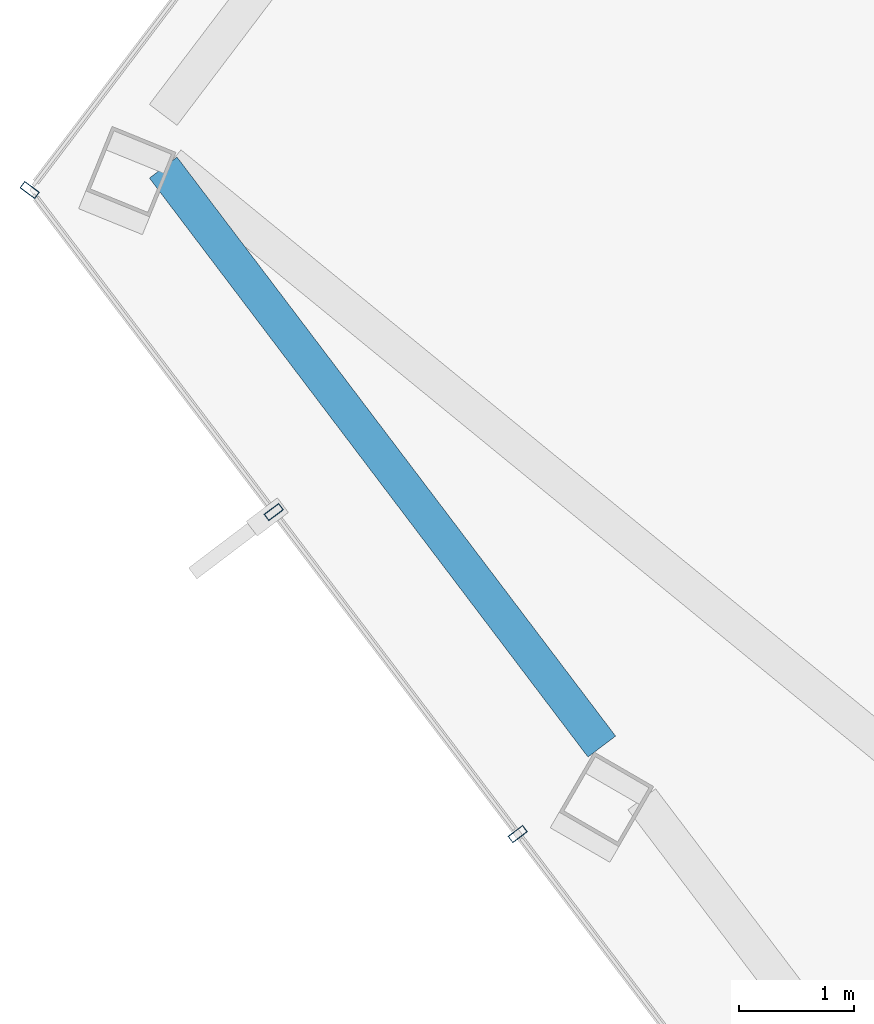
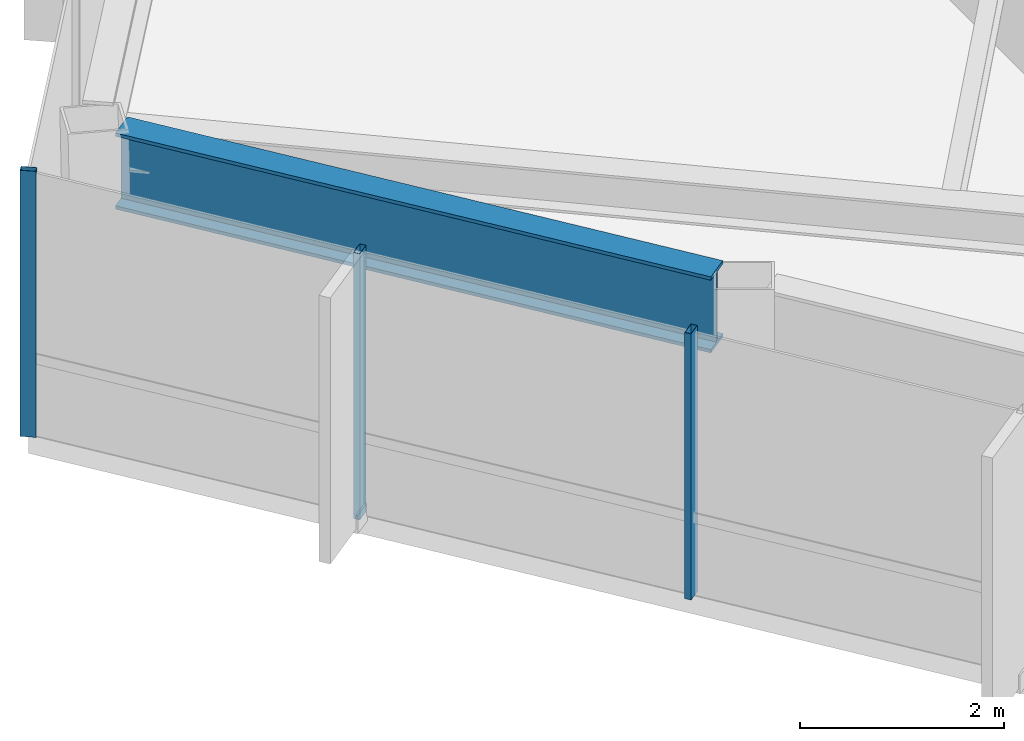
# One storey, part 9 of 27: 3 members, 1 beam, 2 elements without a shape of their own.
"""IFC4 building model written with IfcOpenShell, lengths in metres."""

from ifc_helpers import new_model, si_unit, direction, frame, origin, origin_2d, place, context, subcontext, project, spatial, hollow_rectangle, i_section, extrude, material, layer, layer_set, material_profile, profile_set, type_object, element, aggregate, save


model = new_model("IFC4")

# Units and contexts
model_context = context("Model", 3, precision=1e-05, world=origin(), true_north=direction((0.0, 1.0)))
body_context = subcontext(model_context, "Body", "Model", "MODEL_VIEW")
ifc_project = project(units=[si_unit("LENGTHUNIT", "METRE"), si_unit("AREAUNIT", "SQUARE_METRE"), si_unit("VOLUMEUNIT", "CUBIC_METRE"), si_unit("PLANEANGLEUNIT", "RADIAN"), si_unit("MASSUNIT", "GRAM", prefix="KILO")], contexts=[model_context])

# Site, building, storey
site_placement = place(None, origin())
site = spatial("IfcSite", under=ifc_project, at=site_placement, CompositionType="ELEMENT")
building_placement = place(site_placement, origin())
building = spatial("IfcBuilding", under=site, at=building_placement, Name="Zarrinselat Tower", CompositionType="ELEMENT")
storey_placement = place(building_placement, frame((0.0, 0.0, 215.56005859375)))
storey = spatial("IfcBuildingStorey", under=building, at=storey_placement, Name="L53", CompositionType="ELEMENT", Elevation=215.56005859375)

# Beam
ifc_material_1 = material(Name="Steel S460M", Category="steel")
ifc_material_profile_1 = material_profile(ifc_material_1, i_section(OverallWidth=0.302001953125, OverallDepth=0.909912109375, WebThickness=0.02099609375, FlangeThickness=0.0400390625, at=origin_2d()), Name="HEM 900")
ifc_profile_set_1 = profile_set([ifc_material_profile_1], Name="Steel S460M")
beam_type = type_object("IfcBeamType", Name="BM-HEM900", PredefinedType="BEAM", material=ifc_profile_set_1)
beam_placement = place(storey_placement, frame((16.115966796875, 40.54248046875, 2.724853515625), z_axis=(0.603852486481, -0.797096088668, 0.0), x_axis=(0.797096088668, 0.603852486481, 0.0)))
element("IfcBeam", 1, at=beam_placement, inside=storey, type_object=beam_type, Name="L53 Perimeter Spandrel Girder SP06", PredefinedType="BEAM", context=body_context, shape_type="SweptSolid", body=[
    extrude(i_section(OverallWidth=0.302001953125, OverallDepth=0.909912109375, WebThickness=0.02099609375, FlangeThickness=0.0400390625, at=origin_2d()), origin(), (0.0, 0.0, 1.0), 6.32568359375),
])

# Curtain wall, member
ifc_material_2 = material(Name="Extruded Aluminium Alloy EN AW-6063 T6", Category="aluminium")
ifc_layer = layer(ifc_material_2, 0.169921875)
ifc_layer_set = layer_set([ifc_layer], Name="Extruded Aluminium Alloy EN AW-6063 T6")
curtain_wall_type = type_object("IfcCurtainWallType", Name="CWS-RES", PredefinedType="NOTDEFINED", material=ifc_layer_set)
curtain_wall_1_placement = place(storey_placement, origin())
curtain_wall_1 = element("IfcCurtainWall", 2, at=curtain_wall_1_placement, inside=storey, type_object=curtain_wall_type, Name="L53 Unitised Curtain Wall CW-L53-E02", PredefinedType="NOTDEFINED")
ifc_material_3 = material(Name="Extruded Aluminium Alloy EN AW-6063 T6", Category="aluminium")
ifc_material_profile_2 = material_profile(ifc_material_3, hollow_rectangle(XDim=0.070068359375, YDim=0.159912109375, WallThickness=0.00390625, at=origin_2d()), Name="RHS 160x70x4")
ifc_profile_set_2 = profile_set([ifc_material_profile_2], Name="Extruded Aluminium Alloy EN AW-6063 T6")
member_type = type_object("IfcMemberType", Name="MEM-CW-MUL2", PredefinedType="MULLION", material=ifc_profile_set_2)
member_1_placement = place(storey_placement, frame((14.95361328125, 40.346923828125, 0.0), z_axis=(0.0, 0.0, 1.0), x_axis=(-0.603853501206, -0.797095319947, 0.0)))
member_1 = element("IfcMember", 3, at=member_1_placement, type_object=member_type, Name="CW-L53-E02 Mullion 3", PredefinedType="MULLION", context=body_context, shape_type="SweptSolid", body=[
    extrude(hollow_rectangle(XDim=0.070068359375, YDim=0.159912109375, WallThickness=0.00390625, at=origin_2d()), origin(), (0.0, 0.0, 1.0), 3.179931640625),
])
aggregate(curtain_wall_1, [member_1])

# Curtain wall, members
curtain_wall_2_placement = place(storey_placement, origin())
curtain_wall_2 = element("IfcCurtainWall", 4, at=curtain_wall_2_placement, inside=storey, type_object=curtain_wall_type, Name="L53 Unitised Curtain Wall CW-L53-E03", PredefinedType="NOTDEFINED")
member_2_placement = place(storey_placement, frame((17.078369140625, 37.54248046875, 0.0), z_axis=(0.0, 0.0, 1.0), x_axis=(0.603858850791, -0.797091267247, 0.0)))
member_2 = element("IfcMember", 5, at=member_2_placement, type_object=member_type, Name="CW-L53-E03 Mullion 1", PredefinedType="MULLION", context=body_context, shape_type="SweptSolid", body=[
    extrude(hollow_rectangle(XDim=0.070068359375, YDim=0.159912109375, WallThickness=0.00390625, at=origin_2d()), origin(), (0.0, 0.0, 1.0), 3.179931640625),
])
member_3_placement = place(storey_placement, frame((19.202880859375, 34.73779296875, 0.0), z_axis=(0.0, 0.0, 1.0), x_axis=(0.603858850791, -0.797091267247, 0.0)))
member_3 = element("IfcMember", 6, at=member_3_placement, type_object=member_type, Name="CW-L53-E03 Mullion 2", PredefinedType="MULLION", context=body_context, shape_type="SweptSolid", body=[
    extrude(hollow_rectangle(XDim=0.070068359375, YDim=0.159912109375, WallThickness=0.00390625, at=origin_2d()), origin(), (0.0, 0.0, 1.0), 3.179931640625),
])
aggregate(curtain_wall_2, [member_2, member_3])

save(model, "model.ifc")
